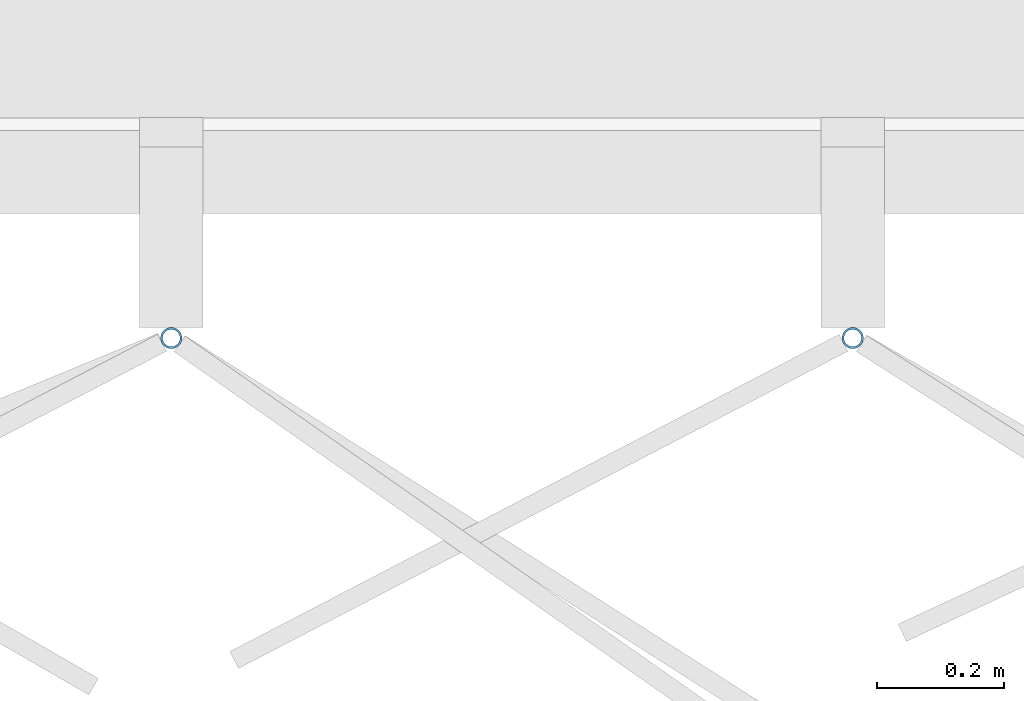
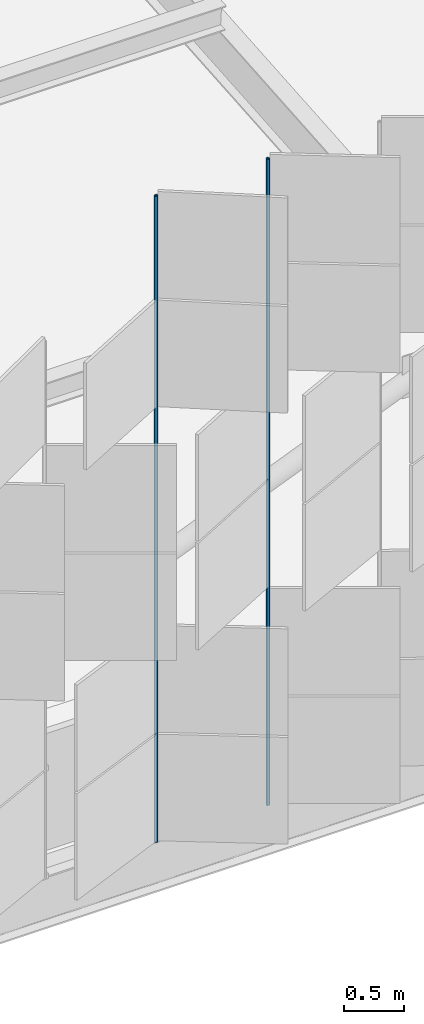
# One storey, part 152 of 483: 2 discrete accessories.
"""IFC4 building model written with IfcOpenShell, lengths in metres."""

from ifc_helpers import new_model, si_unit, direction, frame, origin, origin_2d, place, context, subcontext, project, spatial, hollow_circle, extrude, material, material_profile, profile_set, type_object, element, save


model = new_model("IFC4")

# Units and contexts
model_context = context("Model", 3, precision=1e-05, world=origin(), true_north=direction((0.0, 1.0)))
body_context = subcontext(model_context, "Body", "Model", "MODEL_VIEW")
ifc_project = project(units=[si_unit("LENGTHUNIT", "METRE"), si_unit("AREAUNIT", "SQUARE_METRE"), si_unit("VOLUMEUNIT", "CUBIC_METRE"), si_unit("PLANEANGLEUNIT", "RADIAN"), si_unit("MASSUNIT", "GRAM", prefix="KILO")], contexts=[model_context])

# Site, building, storey
site_placement = place(None, origin())
site = spatial("IfcSite", under=ifc_project, at=site_placement, CompositionType="ELEMENT")
building_placement = place(site_placement, origin())
building = spatial("IfcBuilding", under=site, at=building_placement, Name="Parallax Yard Mobility Hub", CompositionType="ELEMENT")
storey_placement = place(building_placement, frame((0.0, 0.0, 13.199951171875)))
storey = spatial("IfcBuildingStorey", under=building, at=storey_placement, Name="L04", CompositionType="ELEMENT", Elevation=13.199951171875)

# Discrete accessories
ifc_material = material(Name="Steel ASTM A500 Gr C, hot-dip galvanised", Category="steel")
ifc_material_profile = material_profile(ifc_material, hollow_circle(Radius=0.016845703125, WallThickness=0.003173828125, at=origin_2d()), Name="CHS 33.7x3.2")
ifc_profile_set = profile_set([ifc_material_profile], Name="Steel ASTM A500 Gr C, hot-dip galvanised")
discrete_accessory_type = type_object("IfcDiscreteAccessoryType", Name="Hinge post CHS 33.7x3.2", PredefinedType="BRACKET", material=ifc_profile_set)
for number, where, z_axis, x_axis, name in (
    (1, (116.777099609375, 112.199951171875, 0.0), (0.0, 0.0, 1.0), (1.0, 0.0, 0.0), "Hinge post bay 11.5 level L04"),
    (2, (117.848388671875, 112.199951171875, 0.0), (0.0, 0.0, 1.0), (1.0, 0.0, 0.0), "Hinge post bay 11.6 level L04"),
):
    element("IfcDiscreteAccessory", number, at=place(storey_placement, frame(where, z_axis=z_axis, x_axis=x_axis)), inside=storey, type_object=discrete_accessory_type, Name=name, PredefinedType="BRACKET", context=body_context, shape_type="SweptSolid", body=[
        extrude(hollow_circle(Radius=0.016845703125, WallThickness=0.003173828125, at=origin_2d()), origin(), (0.0, 0.0, 1.0), 6.550048828125),
    ])

save(model, "model.ifc")
